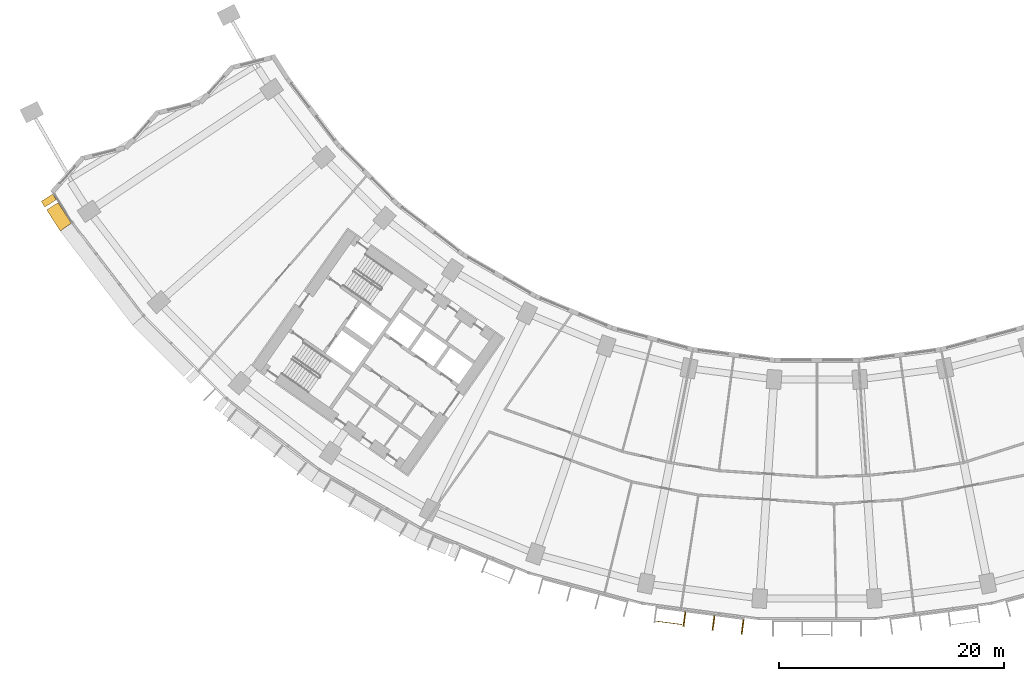
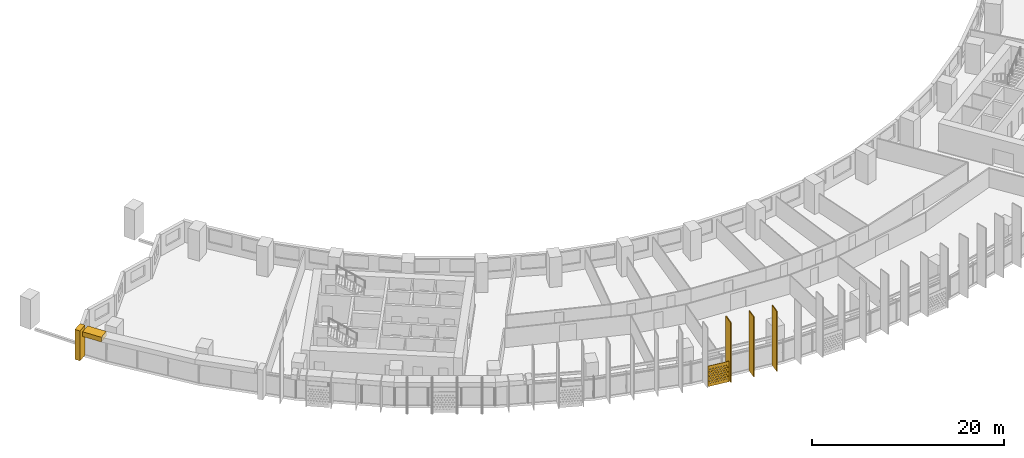
# One storey, part 28 of 33: 6 shading devices.
"""IFC4 building model written with IfcOpenShell, lengths in metres."""

from ifc_helpers import new_model, si_unit, direction, frame, origin, origin_2d, place, context, subcontext, project, spatial, polyline, rectangle, outline, extrude, material, material_profile, profile_set, type_object, element, save


model = new_model("IFC4")

# Units and contexts
model_context = context("Model", 3, precision=1e-05, world=origin(), true_north=direction((0.0, 1.0)))
body_context = subcontext(model_context, "Body", "Model", "MODEL_VIEW")
ifc_project = project(units=[si_unit("LENGTHUNIT", "METRE"), si_unit("AREAUNIT", "SQUARE_METRE"), si_unit("VOLUMEUNIT", "CUBIC_METRE"), si_unit("PLANEANGLEUNIT", "RADIAN"), si_unit("MASSUNIT", "GRAM", prefix="KILO")], contexts=[model_context])

# Site, building, storey
site_placement = place(None, origin())
site = spatial("IfcSite", under=ifc_project, at=site_placement, CompositionType="ELEMENT")
building_placement = place(site_placement, origin())
building = spatial("IfcBuilding", under=site, at=building_placement, Name="Qamariyya Broadcast Tower", CompositionType="ELEMENT")
storey_placement = place(building_placement, frame((0.0, 0.0, 78.5)))
storey = spatial("IfcBuildingStorey", under=building, at=storey_placement, Name="L16", CompositionType="ELEMENT", Elevation=78.5)

# Shading devices
ifc_material_1 = material(Name="Steel S355 powder coated deep red", Category="steel")
shading_device_type_1 = type_object("IfcShadingDeviceType", Name="Deep red frame, powder coated steel box section", PredefinedType="USERDEFINED", material=ifc_material_1)
shading_device_1_placement = place(storey_placement, origin())
element("IfcShadingDevice", 1, at=shading_device_1_placement, inside=storey, type_object=shading_device_type_1, Name="e-frm-B1-F1-posta-L16", ObjectType="FRAME", PredefinedType="USERDEFINED", context=body_context, shape_type="SweptSolid", body=[
    extrude(outline(polyline([(-67.884521484375, -41.6630859375), (-68.89501953125, -42.310302734375), (-68.5712890625, -42.815673828125), (-67.560791015625, -42.168212890625), (-67.884521484375, -41.6630859375)])), origin(), (0.0, 0.0, 1.0), 3.800048828125),
])
shading_device_2_placement = place(storey_placement, frame((0.0, 0.0, 3.199951171875)))
element("IfcShadingDevice", 2, at=shading_device_2_placement, inside=storey, type_object=shading_device_type_1, Name="e-frm-B1-F1-top0", ObjectType="FRAME", PredefinedType="USERDEFINED", context=body_context, shape_type="SweptSolid", body=[
    extrude(outline(polyline([(-67.39892578125, -42.4208984375), (-68.409423828125, -43.068359375), (-67.20947265625, -44.94140625), (-66.2265625, -44.251220703125), (-67.39892578125, -42.4208984375)])), origin(), (0.0, 0.0, 1.0), 0.60009765625),
])
ifc_material_2 = material(Name="Perforated glazed terracotta", Category="masonry")
ifc_material_profile_1 = material_profile(ifc_material_2, outline(polyline([(-1.199951171875, -1.300048828125), (1.199951171875, -1.300048828125), (1.199951171875, 1.300048828125), (-1.199951171875, 1.300048828125), (-1.199951171875, -1.300048828125)]), holes=[polyline([(-0.81494140625, -0.86669921875), (-0.89990234375, -0.78173828125), (-0.985107421875, -0.86669921875), (-0.89990234375, -0.95166015625), (-0.81494140625, -0.86669921875)]), polyline([(-0.514892578125, -0.86669921875), (-0.60009765625, -0.78173828125), (-0.68505859375, -0.86669921875), (-0.60009765625, -0.95166015625), (-0.514892578125, -0.86669921875)]), polyline([(-0.215087890625, -0.86669921875), (-0.300048828125, -0.78173828125), (-0.385009765625, -0.86669921875), (-0.300048828125, -0.95166015625), (-0.215087890625, -0.86669921875)]), polyline([(0.0849609375, -0.86669921875), (0.0, -0.78173828125), (-0.0849609375, -0.86669921875), (0.0, -0.95166015625), (0.0849609375, -0.86669921875)]), polyline([(0.385009765625, -0.86669921875), (0.300048828125, -0.78173828125), (0.215087890625, -0.86669921875), (0.300048828125, -0.95166015625), (0.385009765625, -0.86669921875)]), polyline([(0.68505859375, -0.86669921875), (0.60009765625, -0.78173828125), (0.514892578125, -0.86669921875), (0.60009765625, -0.95166015625), (0.68505859375, -0.86669921875)]), polyline([(0.985107421875, -0.86669921875), (0.89990234375, -0.78173828125), (0.81494140625, -0.86669921875), (0.89990234375, -0.95166015625), (0.985107421875, -0.86669921875)]), polyline([(-0.965087890625, -0.577880859375), (-1.050048828125, -0.49267578125), (-1.135009765625, -0.577880859375), (-1.050048828125, -0.662841796875), (-0.965087890625, -0.577880859375)]), polyline([(-0.6650390625, -0.577880859375), (-0.75, -0.49267578125), (-0.8349609375, -0.577880859375), (-0.75, -0.662841796875), (-0.6650390625, -0.577880859375)]), polyline([(-0.364990234375, -0.577880859375), (-0.449951171875, -0.49267578125), (-0.534912109375, -0.577880859375), (-0.449951171875, -0.662841796875), (-0.364990234375, -0.577880859375)]), polyline([(-0.06494140625, -0.577880859375), (-0.14990234375, -0.49267578125), (-0.235107421875, -0.577880859375), (-0.14990234375, -0.662841796875), (-0.06494140625, -0.577880859375)]), polyline([(0.235107421875, -0.577880859375), (0.14990234375, -0.49267578125), (0.06494140625, -0.577880859375), (0.14990234375, -0.662841796875), (0.235107421875, -0.577880859375)]), polyline([(0.534912109375, -0.577880859375), (0.449951171875, -0.49267578125), (0.364990234375, -0.577880859375), (0.449951171875, -0.662841796875), (0.534912109375, -0.577880859375)]), polyline([(0.8349609375, -0.577880859375), (0.75, -0.49267578125), (0.6650390625, -0.577880859375), (0.75, -0.662841796875), (0.8349609375, -0.577880859375)]), polyline([(1.135009765625, -0.577880859375), (1.050048828125, -0.49267578125), (0.965087890625, -0.577880859375), (1.050048828125, -0.662841796875), (1.135009765625, -0.577880859375)]), polyline([(-0.81494140625, -0.288818359375), (-0.89990234375, -0.203857421875), (-0.985107421875, -0.288818359375), (-0.89990234375, -0.373779296875), (-0.81494140625, -0.288818359375)]), polyline([(-0.514892578125, -0.288818359375), (-0.60009765625, -0.203857421875), (-0.68505859375, -0.288818359375), (-0.60009765625, -0.373779296875), (-0.514892578125, -0.288818359375)]), polyline([(-0.215087890625, -0.288818359375), (-0.300048828125, -0.203857421875), (-0.385009765625, -0.288818359375), (-0.300048828125, -0.373779296875), (-0.215087890625, -0.288818359375)]), polyline([(0.0849609375, -0.288818359375), (0.0, -0.203857421875), (-0.0849609375, -0.288818359375), (0.0, -0.373779296875), (0.0849609375, -0.288818359375)]), polyline([(0.385009765625, -0.288818359375), (0.300048828125, -0.203857421875), (0.215087890625, -0.288818359375), (0.300048828125, -0.373779296875), (0.385009765625, -0.288818359375)]), polyline([(0.68505859375, -0.288818359375), (0.60009765625, -0.203857421875), (0.514892578125, -0.288818359375), (0.60009765625, -0.373779296875), (0.68505859375, -0.288818359375)]), polyline([(0.985107421875, -0.288818359375), (0.89990234375, -0.203857421875), (0.81494140625, -0.288818359375), (0.89990234375, -0.373779296875), (0.985107421875, -0.288818359375)]), polyline([(-0.965087890625, 0.0), (-1.050048828125, 0.0849609375), (-1.135009765625, 0.0), (-1.050048828125, -0.0849609375), (-0.965087890625, 0.0)]), polyline([(-0.6650390625, 0.0), (-0.75, 0.0849609375), (-0.8349609375, 0.0), (-0.75, -0.0849609375), (-0.6650390625, 0.0)]), polyline([(-0.364990234375, 0.0), (-0.449951171875, 0.0849609375), (-0.534912109375, 0.0), (-0.449951171875, -0.0849609375), (-0.364990234375, 0.0)]), polyline([(-0.06494140625, 0.0), (-0.14990234375, 0.0849609375), (-0.235107421875, 0.0), (-0.14990234375, -0.0849609375), (-0.06494140625, 0.0)]), polyline([(0.235107421875, 0.0), (0.14990234375, 0.0849609375), (0.06494140625, 0.0), (0.14990234375, -0.0849609375), (0.235107421875, 0.0)]), polyline([(0.534912109375, 0.0), (0.449951171875, 0.0849609375), (0.364990234375, 0.0), (0.449951171875, -0.0849609375), (0.534912109375, 0.0)]), polyline([(0.8349609375, 0.0), (0.75, 0.0849609375), (0.6650390625, 0.0), (0.75, -0.0849609375), (0.8349609375, 0.0)]), polyline([(1.135009765625, 0.0), (1.050048828125, 0.0849609375), (0.965087890625, 0.0), (1.050048828125, -0.0849609375), (1.135009765625, 0.0)]), polyline([(-0.81494140625, 0.288818359375), (-0.89990234375, 0.373779296875), (-0.985107421875, 0.288818359375), (-0.89990234375, 0.203857421875), (-0.81494140625, 0.288818359375)]), polyline([(-0.514892578125, 0.288818359375), (-0.60009765625, 0.373779296875), (-0.68505859375, 0.288818359375), (-0.60009765625, 0.203857421875), (-0.514892578125, 0.288818359375)]), polyline([(-0.215087890625, 0.288818359375), (-0.300048828125, 0.373779296875), (-0.385009765625, 0.288818359375), (-0.300048828125, 0.203857421875), (-0.215087890625, 0.288818359375)]), polyline([(0.0849609375, 0.288818359375), (0.0, 0.373779296875), (-0.0849609375, 0.288818359375), (0.0, 0.203857421875), (0.0849609375, 0.288818359375)]), polyline([(0.385009765625, 0.288818359375), (0.300048828125, 0.373779296875), (0.215087890625, 0.288818359375), (0.300048828125, 0.203857421875), (0.385009765625, 0.288818359375)]), polyline([(0.68505859375, 0.288818359375), (0.60009765625, 0.373779296875), (0.514892578125, 0.288818359375), (0.60009765625, 0.203857421875), (0.68505859375, 0.288818359375)]), polyline([(0.985107421875, 0.288818359375), (0.89990234375, 0.373779296875), (0.81494140625, 0.288818359375), (0.89990234375, 0.203857421875), (0.985107421875, 0.288818359375)]), polyline([(-0.965087890625, 0.577880859375), (-1.050048828125, 0.662841796875), (-1.135009765625, 0.577880859375), (-1.050048828125, 0.49267578125), (-0.965087890625, 0.577880859375)]), polyline([(-0.6650390625, 0.577880859375), (-0.75, 0.662841796875), (-0.8349609375, 0.577880859375), (-0.75, 0.49267578125), (-0.6650390625, 0.577880859375)]), polyline([(-0.364990234375, 0.577880859375), (-0.449951171875, 0.662841796875), (-0.534912109375, 0.577880859375), (-0.449951171875, 0.49267578125), (-0.364990234375, 0.577880859375)]), polyline([(-0.06494140625, 0.577880859375), (-0.14990234375, 0.662841796875), (-0.235107421875, 0.577880859375), (-0.14990234375, 0.49267578125), (-0.06494140625, 0.577880859375)]), polyline([(0.235107421875, 0.577880859375), (0.14990234375, 0.662841796875), (0.06494140625, 0.577880859375), (0.14990234375, 0.49267578125), (0.235107421875, 0.577880859375)]), polyline([(0.534912109375, 0.577880859375), (0.449951171875, 0.662841796875), (0.364990234375, 0.577880859375), (0.449951171875, 0.49267578125), (0.534912109375, 0.577880859375)]), polyline([(0.8349609375, 0.577880859375), (0.75, 0.662841796875), (0.6650390625, 0.577880859375), (0.75, 0.49267578125), (0.8349609375, 0.577880859375)]), polyline([(1.135009765625, 0.577880859375), (1.050048828125, 0.662841796875), (0.965087890625, 0.577880859375), (1.050048828125, 0.49267578125), (1.135009765625, 0.577880859375)]), polyline([(-0.81494140625, 0.86669921875), (-0.89990234375, 0.95166015625), (-0.985107421875, 0.86669921875), (-0.89990234375, 0.78173828125), (-0.81494140625, 0.86669921875)]), polyline([(-0.514892578125, 0.86669921875), (-0.60009765625, 0.95166015625), (-0.68505859375, 0.86669921875), (-0.60009765625, 0.78173828125), (-0.514892578125, 0.86669921875)]), polyline([(-0.215087890625, 0.86669921875), (-0.300048828125, 0.95166015625), (-0.385009765625, 0.86669921875), (-0.300048828125, 0.78173828125), (-0.215087890625, 0.86669921875)]), polyline([(0.0849609375, 0.86669921875), (0.0, 0.95166015625), (-0.0849609375, 0.86669921875), (0.0, 0.78173828125), (0.0849609375, 0.86669921875)]), polyline([(0.385009765625, 0.86669921875), (0.300048828125, 0.95166015625), (0.215087890625, 0.86669921875), (0.300048828125, 0.78173828125), (0.385009765625, 0.86669921875)]), polyline([(0.68505859375, 0.86669921875), (0.60009765625, 0.95166015625), (0.514892578125, 0.86669921875), (0.60009765625, 0.78173828125), (0.68505859375, 0.86669921875)]), polyline([(0.985107421875, 0.86669921875), (0.89990234375, 0.95166015625), (0.81494140625, 0.86669921875), (0.89990234375, 0.78173828125), (0.985107421875, 0.86669921875)])]))
ifc_profile_set_1 = profile_set([ifc_material_profile_1], Name="Perforated glazed terracotta")
shading_device_type_2 = type_object("IfcShadingDeviceType", Name="Perforated terracotta screen 2400 x 2600", PredefinedType="USERDEFINED", material=ifc_profile_set_1)
shading_device_3_placement = place(storey_placement, frame((-13.17431640625, -79.7119140625, 1.35009765625), z_axis=(-0.13056005306, -0.991440402921, 0.0), x_axis=(0.991440402921, -0.13056005306, 0.0)))
element("IfcShadingDevice", 3, at=shading_device_3_placement, inside=storey, type_object=shading_device_type_2, Name="e-scr-L16-07-0", ObjectType="SCREEN", PredefinedType="USERDEFINED", context=body_context, shape_type="SweptSolid", body=[
    extrude(outline(polyline([(-1.199951171875, -1.300048828125), (1.199951171875, -1.300048828125), (1.199951171875, 1.300048828125), (-1.199951171875, 1.300048828125), (-1.199951171875, -1.300048828125)]), holes=[polyline([(-0.81494140625, -0.86669921875), (-0.89990234375, -0.78173828125), (-0.985107421875, -0.86669921875), (-0.89990234375, -0.95166015625), (-0.81494140625, -0.86669921875)]), polyline([(-0.514892578125, -0.86669921875), (-0.60009765625, -0.78173828125), (-0.68505859375, -0.86669921875), (-0.60009765625, -0.95166015625), (-0.514892578125, -0.86669921875)]), polyline([(-0.215087890625, -0.86669921875), (-0.300048828125, -0.78173828125), (-0.385009765625, -0.86669921875), (-0.300048828125, -0.95166015625), (-0.215087890625, -0.86669921875)]), polyline([(0.0849609375, -0.86669921875), (0.0, -0.78173828125), (-0.0849609375, -0.86669921875), (0.0, -0.95166015625), (0.0849609375, -0.86669921875)]), polyline([(0.385009765625, -0.86669921875), (0.300048828125, -0.78173828125), (0.215087890625, -0.86669921875), (0.300048828125, -0.95166015625), (0.385009765625, -0.86669921875)]), polyline([(0.68505859375, -0.86669921875), (0.60009765625, -0.78173828125), (0.514892578125, -0.86669921875), (0.60009765625, -0.95166015625), (0.68505859375, -0.86669921875)]), polyline([(0.985107421875, -0.86669921875), (0.89990234375, -0.78173828125), (0.81494140625, -0.86669921875), (0.89990234375, -0.95166015625), (0.985107421875, -0.86669921875)]), polyline([(-0.965087890625, -0.577880859375), (-1.050048828125, -0.49267578125), (-1.135009765625, -0.577880859375), (-1.050048828125, -0.662841796875), (-0.965087890625, -0.577880859375)]), polyline([(-0.6650390625, -0.577880859375), (-0.75, -0.49267578125), (-0.8349609375, -0.577880859375), (-0.75, -0.662841796875), (-0.6650390625, -0.577880859375)]), polyline([(-0.364990234375, -0.577880859375), (-0.449951171875, -0.49267578125), (-0.534912109375, -0.577880859375), (-0.449951171875, -0.662841796875), (-0.364990234375, -0.577880859375)]), polyline([(-0.06494140625, -0.577880859375), (-0.14990234375, -0.49267578125), (-0.235107421875, -0.577880859375), (-0.14990234375, -0.662841796875), (-0.06494140625, -0.577880859375)]), polyline([(0.235107421875, -0.577880859375), (0.14990234375, -0.49267578125), (0.06494140625, -0.577880859375), (0.14990234375, -0.662841796875), (0.235107421875, -0.577880859375)]), polyline([(0.534912109375, -0.577880859375), (0.449951171875, -0.49267578125), (0.364990234375, -0.577880859375), (0.449951171875, -0.662841796875), (0.534912109375, -0.577880859375)]), polyline([(0.8349609375, -0.577880859375), (0.75, -0.49267578125), (0.6650390625, -0.577880859375), (0.75, -0.662841796875), (0.8349609375, -0.577880859375)]), polyline([(1.135009765625, -0.577880859375), (1.050048828125, -0.49267578125), (0.965087890625, -0.577880859375), (1.050048828125, -0.662841796875), (1.135009765625, -0.577880859375)]), polyline([(-0.81494140625, -0.288818359375), (-0.89990234375, -0.203857421875), (-0.985107421875, -0.288818359375), (-0.89990234375, -0.373779296875), (-0.81494140625, -0.288818359375)]), polyline([(-0.514892578125, -0.288818359375), (-0.60009765625, -0.203857421875), (-0.68505859375, -0.288818359375), (-0.60009765625, -0.373779296875), (-0.514892578125, -0.288818359375)]), polyline([(-0.215087890625, -0.288818359375), (-0.300048828125, -0.203857421875), (-0.385009765625, -0.288818359375), (-0.300048828125, -0.373779296875), (-0.215087890625, -0.288818359375)]), polyline([(0.0849609375, -0.288818359375), (0.0, -0.203857421875), (-0.0849609375, -0.288818359375), (0.0, -0.373779296875), (0.0849609375, -0.288818359375)]), polyline([(0.385009765625, -0.288818359375), (0.300048828125, -0.203857421875), (0.215087890625, -0.288818359375), (0.300048828125, -0.373779296875), (0.385009765625, -0.288818359375)]), polyline([(0.68505859375, -0.288818359375), (0.60009765625, -0.203857421875), (0.514892578125, -0.288818359375), (0.60009765625, -0.373779296875), (0.68505859375, -0.288818359375)]), polyline([(0.985107421875, -0.288818359375), (0.89990234375, -0.203857421875), (0.81494140625, -0.288818359375), (0.89990234375, -0.373779296875), (0.985107421875, -0.288818359375)]), polyline([(-0.965087890625, 0.0), (-1.050048828125, 0.0849609375), (-1.135009765625, 0.0), (-1.050048828125, -0.0849609375), (-0.965087890625, 0.0)]), polyline([(-0.6650390625, 0.0), (-0.75, 0.0849609375), (-0.8349609375, 0.0), (-0.75, -0.0849609375), (-0.6650390625, 0.0)]), polyline([(-0.364990234375, 0.0), (-0.449951171875, 0.0849609375), (-0.534912109375, 0.0), (-0.449951171875, -0.0849609375), (-0.364990234375, 0.0)]), polyline([(-0.06494140625, 0.0), (-0.14990234375, 0.0849609375), (-0.235107421875, 0.0), (-0.14990234375, -0.0849609375), (-0.06494140625, 0.0)]), polyline([(0.235107421875, 0.0), (0.14990234375, 0.0849609375), (0.06494140625, 0.0), (0.14990234375, -0.0849609375), (0.235107421875, 0.0)]), polyline([(0.534912109375, 0.0), (0.449951171875, 0.0849609375), (0.364990234375, 0.0), (0.449951171875, -0.0849609375), (0.534912109375, 0.0)]), polyline([(0.8349609375, 0.0), (0.75, 0.0849609375), (0.6650390625, 0.0), (0.75, -0.0849609375), (0.8349609375, 0.0)]), polyline([(1.135009765625, 0.0), (1.050048828125, 0.0849609375), (0.965087890625, 0.0), (1.050048828125, -0.0849609375), (1.135009765625, 0.0)]), polyline([(-0.81494140625, 0.288818359375), (-0.89990234375, 0.373779296875), (-0.985107421875, 0.288818359375), (-0.89990234375, 0.203857421875), (-0.81494140625, 0.288818359375)]), polyline([(-0.514892578125, 0.288818359375), (-0.60009765625, 0.373779296875), (-0.68505859375, 0.288818359375), (-0.60009765625, 0.203857421875), (-0.514892578125, 0.288818359375)]), polyline([(-0.215087890625, 0.288818359375), (-0.300048828125, 0.373779296875), (-0.385009765625, 0.288818359375), (-0.300048828125, 0.203857421875), (-0.215087890625, 0.288818359375)]), polyline([(0.0849609375, 0.288818359375), (0.0, 0.373779296875), (-0.0849609375, 0.288818359375), (0.0, 0.203857421875), (0.0849609375, 0.288818359375)]), polyline([(0.385009765625, 0.288818359375), (0.300048828125, 0.373779296875), (0.215087890625, 0.288818359375), (0.300048828125, 0.203857421875), (0.385009765625, 0.288818359375)]), polyline([(0.68505859375, 0.288818359375), (0.60009765625, 0.373779296875), (0.514892578125, 0.288818359375), (0.60009765625, 0.203857421875), (0.68505859375, 0.288818359375)]), polyline([(0.985107421875, 0.288818359375), (0.89990234375, 0.373779296875), (0.81494140625, 0.288818359375), (0.89990234375, 0.203857421875), (0.985107421875, 0.288818359375)]), polyline([(-0.965087890625, 0.577880859375), (-1.050048828125, 0.662841796875), (-1.135009765625, 0.577880859375), (-1.050048828125, 0.49267578125), (-0.965087890625, 0.577880859375)]), polyline([(-0.6650390625, 0.577880859375), (-0.75, 0.662841796875), (-0.8349609375, 0.577880859375), (-0.75, 0.49267578125), (-0.6650390625, 0.577880859375)]), polyline([(-0.364990234375, 0.577880859375), (-0.449951171875, 0.662841796875), (-0.534912109375, 0.577880859375), (-0.449951171875, 0.49267578125), (-0.364990234375, 0.577880859375)]), polyline([(-0.06494140625, 0.577880859375), (-0.14990234375, 0.662841796875), (-0.235107421875, 0.577880859375), (-0.14990234375, 0.49267578125), (-0.06494140625, 0.577880859375)]), polyline([(0.235107421875, 0.577880859375), (0.14990234375, 0.662841796875), (0.06494140625, 0.577880859375), (0.14990234375, 0.49267578125), (0.235107421875, 0.577880859375)]), polyline([(0.534912109375, 0.577880859375), (0.449951171875, 0.662841796875), (0.364990234375, 0.577880859375), (0.449951171875, 0.49267578125), (0.534912109375, 0.577880859375)]), polyline([(0.8349609375, 0.577880859375), (0.75, 0.662841796875), (0.6650390625, 0.577880859375), (0.75, 0.49267578125), (0.8349609375, 0.577880859375)]), polyline([(1.135009765625, 0.577880859375), (1.050048828125, 0.662841796875), (0.965087890625, 0.577880859375), (1.050048828125, 0.49267578125), (1.135009765625, 0.577880859375)]), polyline([(-0.81494140625, 0.86669921875), (-0.89990234375, 0.95166015625), (-0.985107421875, 0.86669921875), (-0.89990234375, 0.78173828125), (-0.81494140625, 0.86669921875)]), polyline([(-0.514892578125, 0.86669921875), (-0.60009765625, 0.95166015625), (-0.68505859375, 0.86669921875), (-0.60009765625, 0.78173828125), (-0.514892578125, 0.86669921875)]), polyline([(-0.215087890625, 0.86669921875), (-0.300048828125, 0.95166015625), (-0.385009765625, 0.86669921875), (-0.300048828125, 0.78173828125), (-0.215087890625, 0.86669921875)]), polyline([(0.0849609375, 0.86669921875), (0.0, 0.95166015625), (-0.0849609375, 0.86669921875), (0.0, 0.78173828125), (0.0849609375, 0.86669921875)]), polyline([(0.385009765625, 0.86669921875), (0.300048828125, 0.95166015625), (0.215087890625, 0.86669921875), (0.300048828125, 0.78173828125), (0.385009765625, 0.86669921875)]), polyline([(0.68505859375, 0.86669921875), (0.60009765625, 0.95166015625), (0.514892578125, 0.86669921875), (0.60009765625, 0.78173828125), (0.68505859375, 0.86669921875)]), polyline([(0.985107421875, 0.86669921875), (0.89990234375, 0.95166015625), (0.81494140625, 0.86669921875), (0.89990234375, 0.78173828125), (0.985107421875, 0.86669921875)])]), origin(), (0.0, 0.0, 1.0), 0.059814453125),
])
ifc_material_3 = material(Name="Glazed terracotta", Category="masonry")
ifc_material_profile_2 = material_profile(ifc_material_3, rectangle(XDim=1.300048828125, YDim=0.10009765625, at=origin_2d()))
ifc_profile_set_2 = profile_set([ifc_material_profile_2], Name="Glazed terracotta")
shading_device_type_3 = type_object("IfcShadingDeviceType", Name="Terracotta fin 100 x 1300", PredefinedType="USERDEFINED", material=ifc_profile_set_2)
for number, where, z_axis, x_axis, name in (
    (4, (-11.769775390625, -79.422607421875, 0.0), (0.0, 0.0, 1.0), (-0.13052619222, -0.991444861374, 0.0), "e-fin-L16-07-1"),
    (5, (-9.187255859375, -79.7626953125, 0.0), (0.0, 0.0, 1.0), (-0.13052619222, -0.991444861374, 0.0), "e-fin-L16-07-2"),
    (6, (-6.60498046875, -80.1025390625, 0.0), (0.0, 0.0, 1.0), (-0.13052619222, -0.991444861374, 0.0), "e-fin-L16-07-3"),
):
    element("IfcShadingDevice", number, at=place(storey_placement, frame(where, z_axis=z_axis, x_axis=x_axis)), inside=storey, type_object=shading_device_type_3, Name=name, ObjectType="FIN", PredefinedType="USERDEFINED", context=body_context, shape_type="SweptSolid", body=[
        extrude(rectangle(XDim=1.300048828125, YDim=0.10009765625, at=origin_2d()), origin(), (0.0, 0.0, 1.0), 7.60009765625),
    ])

save(model, "model.ifc")
